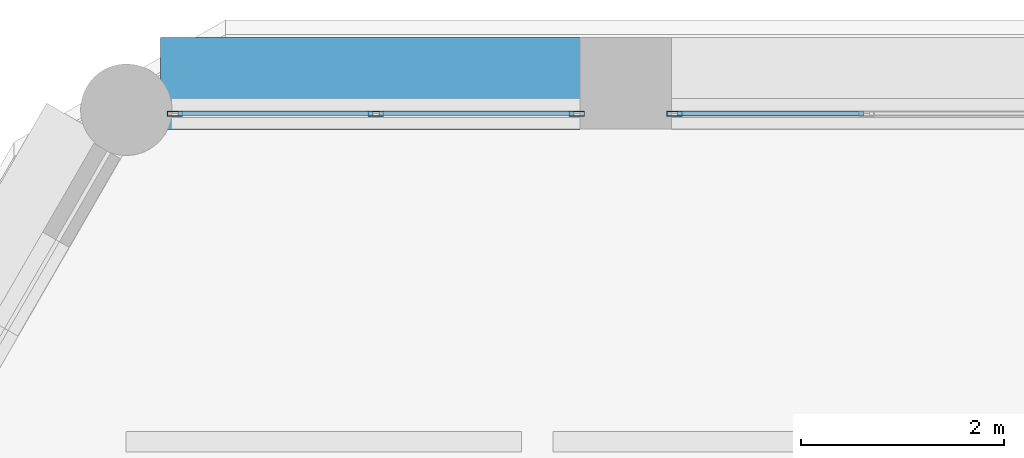
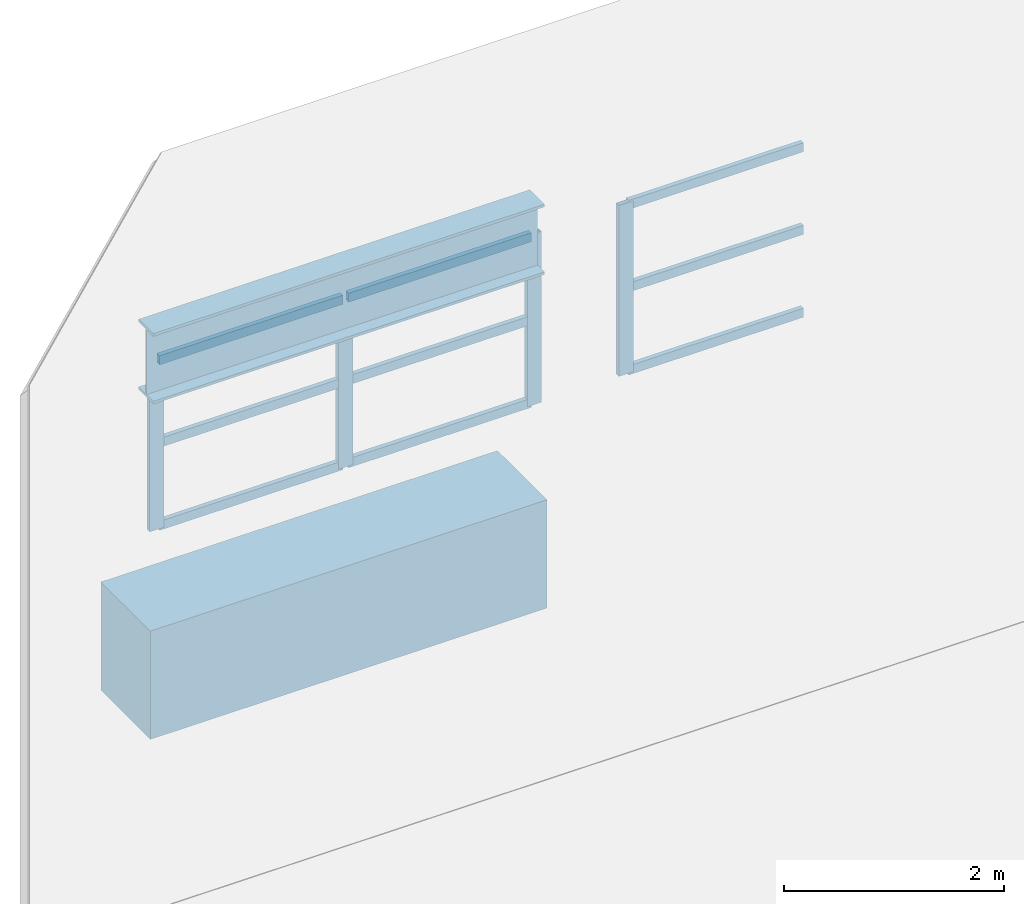
# One storey, part 2 of 7: 14 members, 1 beam, 2 elements without a shape of their own.
"""IFC4 building model written with IfcOpenShell, lengths in metres."""

from ifc_helpers import new_model, si_unit, direction, frame, origin, origin_2d, place, context, subcontext, project, spatial, rectangle, hollow_rectangle, i_section, extrude, material, material_profile, profile_set, type_object, element, aggregate, save


model = new_model("IFC4")

# Units and contexts
model_context = context("Model", 3, precision=1e-05, world=origin(), true_north=direction((0.0, 1.0)))
body_context = subcontext(model_context, "Body", "Model", "MODEL_VIEW")
ifc_project = project(units=[si_unit("LENGTHUNIT", "METRE"), si_unit("AREAUNIT", "SQUARE_METRE"), si_unit("VOLUMEUNIT", "CUBIC_METRE"), si_unit("PLANEANGLEUNIT", "RADIAN"), si_unit("MASSUNIT", "GRAM", prefix="KILO")], contexts=[model_context])

# Site, building, storey
site_placement = place(None, origin())
site = spatial("IfcSite", under=ifc_project, at=site_placement, CompositionType="ELEMENT")
building_placement = place(site_placement, origin())
building = spatial("IfcBuilding", under=site, at=building_placement, Name="Ostrander Bayou Hotel Tower", CompositionType="ELEMENT")
storey_placement = place(building_placement, frame((0.0, 0.0, 302.0)))
storey = spatial("IfcBuildingStorey", under=building, at=storey_placement, Name="Roof 74", CompositionType="ELEMENT", Elevation=302.0)

# Member
ifc_material_1 = material(Name="Steel ASTM A992", Category="steel")
ifc_material_profile_1 = material_profile(ifc_material_1, i_section(OverallWidth=0.26708984375, OverallDepth=0.779052734375, WebThickness=0.0166015625, FlangeThickness=0.030029296875, at=origin_2d()))
ifc_profile_set_1 = profile_set([ifc_material_profile_1], Name="Steel ASTM A992")
member_type_1 = type_object("IfcMemberType", Name="CR2 crown rafter W30x148", PredefinedType="RAFTER", material=ifc_profile_set_1)
member_1_placement = place(storey_placement, frame((-3.779296875, 16.530029296875, 2.896240234375), z_axis=(-1.0, 0.0, 0.0), x_axis=(0.0, -1.0, 0.0)))
element("IfcMember", 1, at=member_1_placement, inside=storey, type_object=member_type_1, Name="CR2 N 3", PredefinedType="RAFTER", context=body_context, shape_type="SweptSolid", body=[
    extrude(i_section(OverallWidth=0.26708984375, OverallDepth=0.779052734375, WebThickness=0.0166015625, FlangeThickness=0.030029296875, at=origin_2d()), origin(), (0.0, 0.0, 1.0), 4.096435546875),
])

# Curtain wall, member
ifc_material_2 = material(Name="Aluminium and clear glass", Category="aluminium")
curtain_wall_type = type_object("IfcCurtainWallType", Name="CW-CROWN glazed wall", PredefinedType="NOTDEFINED", material=ifc_material_2)
curtain_wall_1_placement = place(storey_placement, origin())
curtain_wall_1 = element("IfcCurtainWall", 2, at=curtain_wall_1_placement, inside=storey, type_object=curtain_wall_type, Name="CW-CROWN L74:N-2", PredefinedType="NOTDEFINED")
ifc_material_3 = material(Name="Aluminium", Category="aluminium")
ifc_material_profile_2 = material_profile(ifc_material_3, hollow_rectangle(XDim=0.050048828125, YDim=0.14990234375, WallThickness=0.00390625, at=origin_2d()))
ifc_profile_set_2 = profile_set([ifc_material_profile_2], Name="Aluminium")
member_type_2 = type_object("IfcMemberType", Name="CW-CR mullion 50 x 150 mm", PredefinedType="MULLION", material=ifc_profile_set_2)
member_2_placement = place(storey_placement, frame((-2.849365234375, 16.550048828125, 1.0), z_axis=(0.0, 0.0, 1.0), x_axis=(0.0, -1.0, 0.0)))
member_2 = element("IfcMember", 3, at=member_2_placement, type_object=member_type_2, Name="CW-CROWN mullion 4", PredefinedType="MULLION", context=body_context, shape_type="SweptSolid", body=[
    extrude(hollow_rectangle(XDim=0.050048828125, YDim=0.14990234375, WallThickness=0.00390625, at=origin_2d()), origin(), (0.0, 0.0, 1.0), 1.8935546875),
])

# Curtain wall, members
curtain_wall_2_placement = place(storey_placement, origin())
curtain_wall_2 = element("IfcCurtainWall", 4, at=curtain_wall_2_placement, inside=storey, type_object=curtain_wall_type, Name="CW-CROWN L74:N-3", PredefinedType="NOTDEFINED")
member_3_placement = place(storey_placement, frame((-3.809326171875, 16.550048828125, 1.0), z_axis=(0.0, 0.0, 1.0), x_axis=(0.0, -1.0, 0.0)))
member_3 = element("IfcMember", 5, at=member_3_placement, type_object=member_type_2, Name="CW-CROWN mullion 1", PredefinedType="MULLION", context=body_context, shape_type="SweptSolid", body=[
    extrude(hollow_rectangle(XDim=0.050048828125, YDim=0.14990234375, WallThickness=0.00390625, at=origin_2d()), origin(), (0.0, 0.0, 1.0), 1.8935546875),
])
member_4_placement = place(storey_placement, frame((-5.78759765625, 16.550048828125, 1.0), z_axis=(0.0, 0.0, 1.0), x_axis=(0.0, -1.0, 0.0)))
member_4 = element("IfcMember", 6, at=member_4_placement, type_object=member_type_2, Name="CW-CROWN mullion 2", PredefinedType="MULLION", context=body_context, shape_type="SweptSolid", body=[
    extrude(hollow_rectangle(XDim=0.050048828125, YDim=0.14990234375, WallThickness=0.00390625, at=origin_2d()), origin(), (0.0, 0.0, 1.0), 1.8935546875),
])
member_5_placement = place(storey_placement, frame((-7.765869140625, 16.550048828125, 1.0), z_axis=(0.0, 0.0, 1.0), x_axis=(0.0, -1.0, 0.0)))
member_5 = element("IfcMember", 7, at=member_5_placement, type_object=member_type_2, Name="CW-CROWN mullion 3", PredefinedType="MULLION", context=body_context, shape_type="SweptSolid", body=[
    extrude(hollow_rectangle(XDim=0.050048828125, YDim=0.14990234375, WallThickness=0.00390625, at=origin_2d()), origin(), (0.0, 0.0, 1.0), 1.8935546875),
])

# Member
ifc_material_4 = material(Name="Aluminium", Category="aluminium")
ifc_material_profile_3 = material_profile(ifc_material_4, hollow_rectangle(XDim=0.050048828125, YDim=0.10009765625, WallThickness=0.00390625, at=origin_2d()))
ifc_profile_set_3 = profile_set([ifc_material_profile_3], Name="Aluminium")
member_type_3 = type_object("IfcMemberType", Name="CW-CR transom 50 x 100 mm", PredefinedType="USERDEFINED", material=ifc_profile_set_3)
member_6_placement = place(storey_placement, frame((-0.98974609375, 16.550048828125, 1.030029296875), z_axis=(-1.0, 0.0, 0.0), x_axis=(0.0, -1.0, 0.0)))
member_6 = element("IfcMember", 8, at=member_6_placement, type_object=member_type_3, Name="CW-CROWN transom 3.1", ObjectType="TRANSOM", PredefinedType="USERDEFINED", context=body_context, shape_type="SweptSolid", body=[
    extrude(hollow_rectangle(XDim=0.050048828125, YDim=0.10009765625, WallThickness=0.00390625, at=origin_2d()), origin(), (0.0, 0.0, 1.0), 1.82958984375),
])

member_7_placement = place(storey_placement, frame((-0.98974609375, 16.550048828125, 1.94677734375), z_axis=(-1.0, 0.0, 0.0), x_axis=(0.0, -1.0, 0.0)))
member_7 = element("IfcMember", 9, at=member_7_placement, type_object=member_type_3, Name="CW-CROWN transom 3.2", ObjectType="TRANSOM", PredefinedType="USERDEFINED", context=body_context, shape_type="SweptSolid", body=[
    extrude(hollow_rectangle(XDim=0.050048828125, YDim=0.10009765625, WallThickness=0.00390625, at=origin_2d()), origin(), (0.0, 0.0, 1.0), 1.82958984375),
])

member_8_placement = place(storey_placement, frame((-0.98974609375, 16.550048828125, 2.863525390625), z_axis=(-1.0, 0.0, 0.0), x_axis=(0.0, -1.0, 0.0)))
member_8 = element("IfcMember", 10, at=member_8_placement, type_object=member_type_3, Name="CW-CROWN transom 3.3", ObjectType="TRANSOM", PredefinedType="USERDEFINED", context=body_context, shape_type="SweptSolid", body=[
    extrude(hollow_rectangle(XDim=0.050048828125, YDim=0.10009765625, WallThickness=0.00390625, at=origin_2d()), origin(), (0.0, 0.0, 1.0), 1.82958984375),
])

aggregate(curtain_wall_1, [member_2, member_6, member_7, member_8])

member_9_placement = place(storey_placement, frame((-3.83935546875, 16.550048828125, 1.030029296875), z_axis=(-1.0, 0.0, 0.0), x_axis=(0.0, -1.0, 0.0)))
member_9 = element("IfcMember", 11, at=member_9_placement, type_object=member_type_3, Name="CW-CROWN transom 1.1", ObjectType="TRANSOM", PredefinedType="USERDEFINED", context=body_context, shape_type="SweptSolid", body=[
    extrude(hollow_rectangle(XDim=0.050048828125, YDim=0.10009765625, WallThickness=0.00390625, at=origin_2d()), origin(), (0.0, 0.0, 1.0), 1.918212890625),
])

member_10_placement = place(storey_placement, frame((-3.83935546875, 16.550048828125, 1.94677734375), z_axis=(-1.0, 0.0, 0.0), x_axis=(0.0, -1.0, 0.0)))
member_10 = element("IfcMember", 12, at=member_10_placement, type_object=member_type_3, Name="CW-CROWN transom 1.2", ObjectType="TRANSOM", PredefinedType="USERDEFINED", context=body_context, shape_type="SweptSolid", body=[
    extrude(hollow_rectangle(XDim=0.050048828125, YDim=0.10009765625, WallThickness=0.00390625, at=origin_2d()), origin(), (0.0, 0.0, 1.0), 1.918212890625),
])

member_11_placement = place(storey_placement, frame((-3.83935546875, 16.550048828125, 2.863525390625), z_axis=(-1.0, 0.0, 0.0), x_axis=(0.0, -1.0, 0.0)))
member_11 = element("IfcMember", 13, at=member_11_placement, type_object=member_type_3, Name="CW-CROWN transom 1.3", ObjectType="TRANSOM", PredefinedType="USERDEFINED", context=body_context, shape_type="SweptSolid", body=[
    extrude(hollow_rectangle(XDim=0.050048828125, YDim=0.10009765625, WallThickness=0.00390625, at=origin_2d()), origin(), (0.0, 0.0, 1.0), 1.918212890625),
])

member_12_placement = place(storey_placement, frame((-5.817626953125, 16.550048828125, 1.030029296875), z_axis=(-1.0, 0.0, 0.0), x_axis=(0.0, -1.0, 0.0)))
member_12 = element("IfcMember", 14, at=member_12_placement, type_object=member_type_3, Name="CW-CROWN transom 2.1", ObjectType="TRANSOM", PredefinedType="USERDEFINED", context=body_context, shape_type="SweptSolid", body=[
    extrude(hollow_rectangle(XDim=0.050048828125, YDim=0.10009765625, WallThickness=0.00390625, at=origin_2d()), origin(), (0.0, 0.0, 1.0), 1.918212890625),
])

member_13_placement = place(storey_placement, frame((-5.817626953125, 16.550048828125, 1.94677734375), z_axis=(-1.0, 0.0, 0.0), x_axis=(0.0, -1.0, 0.0)))
member_13 = element("IfcMember", 15, at=member_13_placement, type_object=member_type_3, Name="CW-CROWN transom 2.2", ObjectType="TRANSOM", PredefinedType="USERDEFINED", context=body_context, shape_type="SweptSolid", body=[
    extrude(hollow_rectangle(XDim=0.050048828125, YDim=0.10009765625, WallThickness=0.00390625, at=origin_2d()), origin(), (0.0, 0.0, 1.0), 1.918212890625),
])

member_14_placement = place(storey_placement, frame((-5.817626953125, 16.550048828125, 2.863525390625), z_axis=(-1.0, 0.0, 0.0), x_axis=(0.0, -1.0, 0.0)))
member_14 = element("IfcMember", 16, at=member_14_placement, type_object=member_type_3, Name="CW-CROWN transom 2.3", ObjectType="TRANSOM", PredefinedType="USERDEFINED", context=body_context, shape_type="SweptSolid", body=[
    extrude(hollow_rectangle(XDim=0.050048828125, YDim=0.10009765625, WallThickness=0.00390625, at=origin_2d()), origin(), (0.0, 0.0, 1.0), 1.918212890625),
])

aggregate(curtain_wall_2, [member_3, member_4, member_5, member_9, member_10, member_11, member_12, member_13, member_14])

# Beam
ifc_material_5 = material(Name="Concrete f'c 60 MPa", Category="concrete")
ifc_material_profile_4 = material_profile(ifc_material_5, rectangle(XDim=0.89990234375, YDim=1.199951171875, at=origin_2d()))
ifc_profile_set_4 = profile_set([ifc_material_profile_4], Name="Concrete f'c 60 MPa")
beam_type = type_object("IfcBeamType", Name="SP4 spandrel beam 900 x 1200 mm f'c 60 MPa", PredefinedType="SPANDREL", material=ifc_profile_set_4)
beam_placement = place(storey_placement, frame((-3.74951171875, 16.85009765625, -0.60009765625), z_axis=(-1.0, 0.0, 0.0), x_axis=(0.0, -1.0, 0.0)))
element("IfcBeam", 17, at=beam_placement, inside=storey, type_object=beam_type, Name="SP4 L74 N-3", PredefinedType="SPANDREL", context=body_context, shape_type="SweptSolid", body=[
    extrude(rectangle(XDim=0.89990234375, YDim=1.199951171875, at=origin_2d()), origin(), (0.0, 0.0, 1.0), 4.15625),
])

save(model, "model.ifc")
